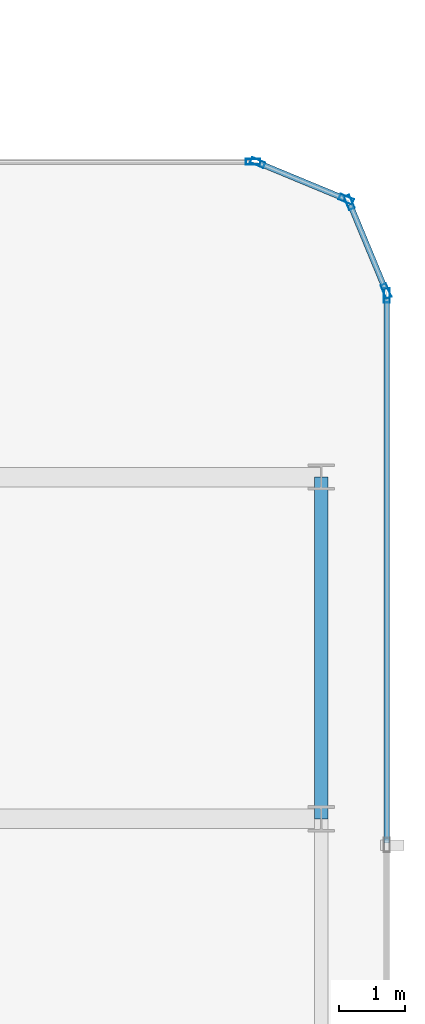
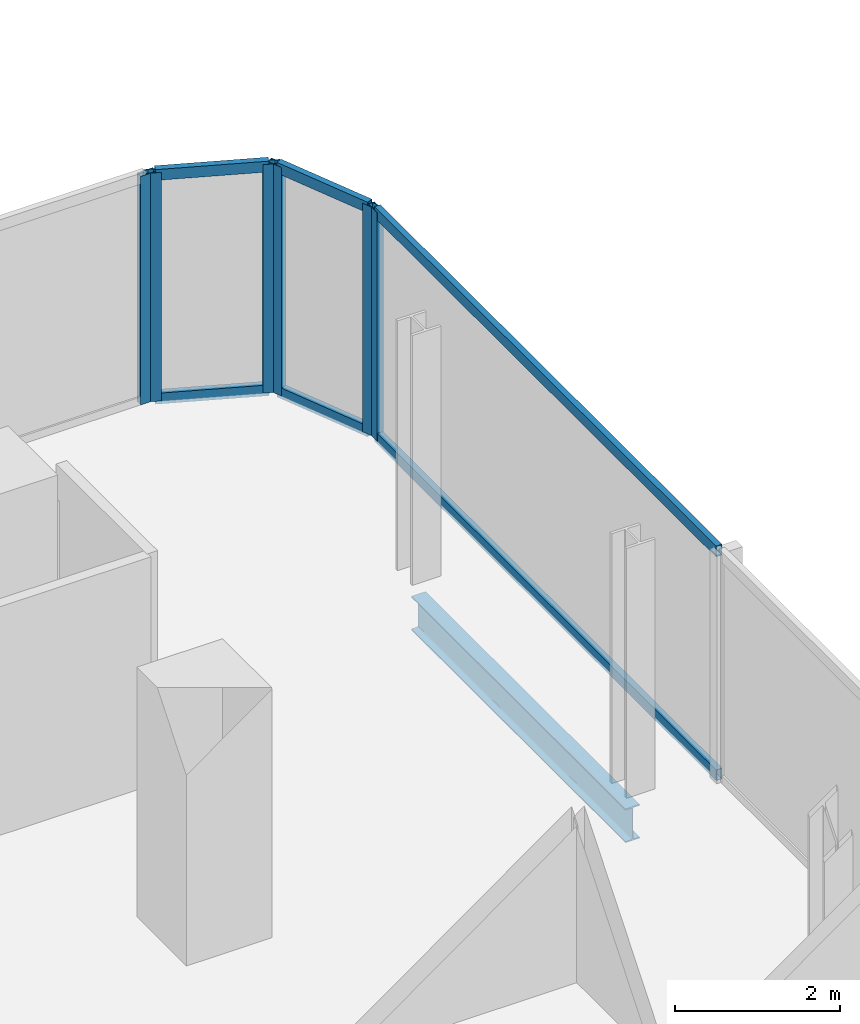
# One storey, part 19 of 34: 12 members, 1 beam, 4 elements without a shape of their own.
"""IFC4 building model written with IfcOpenShell, lengths in metres."""

from ifc_helpers import new_model, si_unit, direction, frame, origin, origin_2d, place, context, subcontext, project, spatial, hollow_rectangle, i_section, extrude, material, layer, layer_set, material_profile, profile_set, type_object, element, aggregate, save


model = new_model("IFC4")

# Units and contexts
model_context = context("Model", 3, precision=1e-05, world=origin(), true_north=direction((0.0, 1.0)))
body_context = subcontext(model_context, "Body", "Model", "MODEL_VIEW")
ifc_project = project(units=[si_unit("LENGTHUNIT", "METRE"), si_unit("AREAUNIT", "SQUARE_METRE"), si_unit("VOLUMEUNIT", "CUBIC_METRE"), si_unit("PLANEANGLEUNIT", "RADIAN"), si_unit("MASSUNIT", "GRAM", prefix="KILO")], contexts=[model_context])

# Site, building, storey
site_placement = place(None, origin())
site = spatial("IfcSite", under=ifc_project, at=site_placement, CompositionType="ELEMENT")
building_placement = place(site_placement, origin())
building = spatial("IfcBuilding", under=site, at=building_placement, Name="Keshet Zoharim Tower", CompositionType="ELEMENT")
storey_placement = place(building_placement, frame((0.0, 0.0, 70.10009765625)))
storey = spatial("IfcBuildingStorey", under=building, at=storey_placement, Name="L16", CompositionType="ELEMENT", Elevation=70.10009765625)

# Beam
ifc_material_1 = material(Name="Steel S355", Category="steel")
ifc_material_profile_1 = material_profile(ifc_material_1, i_section(OverallWidth=0.199951171875, OverallDepth=0.5, WebThickness=0.01025390625, FlangeThickness=0.01611328125, FilletRadius=0.02099609375, at=origin_2d()), Name="IPE500")
ifc_profile_set_1 = profile_set([ifc_material_profile_1], Name="Steel S355")
beam_type = type_object("IfcBeamType", Name="BM-PRI-IP500", PredefinedType="BEAM", material=ifc_profile_set_1)
beam_placement = place(storey_placement, frame((69.0, 22.699951171875, -0.565185546875), z_axis=(0.0, 1.0, 0.0), x_axis=(-1.0, 0.0, 0.0)))
element("IfcBeam", 1, at=beam_placement, inside=storey, type_object=beam_type, Name="L16 Primary Girder Y-025", PredefinedType="BEAM", context=body_context, shape_type="SweptSolid", body=[
    extrude(i_section(OverallWidth=0.199951171875, OverallDepth=0.5, WebThickness=0.01025390625, FlangeThickness=0.01611328125, FilletRadius=0.02099609375, at=origin_2d()), origin(), (0.0, 0.0, 1.0), 5.199951171875),
])

# Curtain wall, member
ifc_material_2 = material(Name="Aluminium 6063-T6", Category="aluminium")
ifc_layer = layer(ifc_material_2, 0.169921875)
ifc_layer_set = layer_set([ifc_layer], Name="Aluminium 6063-T6")
curtain_wall_type = type_object("IfcCurtainWallType", Name="CW-SYS-02", PredefinedType="NOTDEFINED", material=ifc_layer_set)
curtain_wall_1_placement = place(storey_placement, origin())
curtain_wall_1 = element("IfcCurtainWall", 2, at=curtain_wall_1_placement, inside=storey, type_object=curtain_wall_type, Name="L16 Unitised Curtain Wall 13", PredefinedType="NOTDEFINED")
ifc_material_profile_2 = material_profile(ifc_material_2, hollow_rectangle(XDim=0.090087890625, YDim=0.219970703125, WallThickness=0.0048828125, at=origin_2d()), Name="MUL-90x220")
ifc_profile_set_2 = profile_set([ifc_material_profile_2], Name="Aluminium 6063-T6")
member_type_1 = type_object("IfcMemberType", Name="CWM-M22", PredefinedType="MULLION", material=ifc_profile_set_2)
member_1_placement = place(storey_placement, frame((67.965087890625, 32.699951171875, 0.0), z_axis=(0.0, 0.0, 1.0), x_axis=(0.0, 1.0, 0.0)))
member_1 = element("IfcMember", 3, at=member_1_placement, type_object=member_type_1, Name="CW-02 mullion 2", PredefinedType="MULLION", context=body_context, shape_type="SweptSolid", body=[
    extrude(hollow_rectangle(XDim=0.090087890625, YDim=0.219970703125, WallThickness=0.0048828125, at=origin_2d()), origin(), (0.0, 0.0, 1.0), 3.385009765625),
])
aggregate(curtain_wall_1, [member_1])

# Curtain wall, members
curtain_wall_2_placement = place(storey_placement, origin())
curtain_wall_2 = element("IfcCurtainWall", 4, at=curtain_wall_2_placement, inside=storey, type_object=curtain_wall_type, Name="L16 Unitised Curtain Wall 14", PredefinedType="NOTDEFINED")
member_2_placement = place(storey_placement, frame((68.0322265625, 32.6865234375, 0.0), z_axis=(0.0, 0.0, 1.0), x_axis=(0.382851849847, 0.92380975372, 0.0)))
member_2 = element("IfcMember", 5, at=member_2_placement, type_object=member_type_1, Name="CW-02 mullion 1", PredefinedType="MULLION", context=body_context, shape_type="SweptSolid", body=[
    extrude(hollow_rectangle(XDim=0.090087890625, YDim=0.219970703125, WallThickness=0.0048828125, at=origin_2d()), origin(), (0.0, 0.0, 1.0), 3.385009765625),
])
member_3_placement = place(storey_placement, frame((69.381591796875, 32.12744140625, 0.0), z_axis=(0.0, 0.0, 1.0), x_axis=(0.382851849847, 0.92380975372, 0.0)))
member_3 = element("IfcMember", 6, at=member_3_placement, type_object=member_type_1, Name="CW-02 mullion 2", PredefinedType="MULLION", context=body_context, shape_type="SweptSolid", body=[
    extrude(hollow_rectangle(XDim=0.090087890625, YDim=0.219970703125, WallThickness=0.0048828125, at=origin_2d()), origin(), (0.0, 0.0, 1.0), 3.385009765625),
])

curtain_wall_3_placement = place(storey_placement, origin())
curtain_wall_3 = element("IfcCurtainWall", 7, at=curtain_wall_3_placement, inside=storey, type_object=curtain_wall_type, Name="L16 Unitised Curtain Wall 15", PredefinedType="NOTDEFINED")
member_4_placement = place(storey_placement, frame((69.427490234375, 32.081787109375, 0.0), z_axis=(0.0, 0.0, 1.0), x_axis=(0.92380975372, 0.382851849847, 0.0)))
member_4 = element("IfcMember", 8, at=member_4_placement, type_object=member_type_1, Name="CW-02 mullion 1", PredefinedType="MULLION", context=body_context, shape_type="SweptSolid", body=[
    extrude(hollow_rectangle(XDim=0.090087890625, YDim=0.219970703125, WallThickness=0.0048828125, at=origin_2d()), origin(), (0.0, 0.0, 1.0), 3.385009765625),
])
member_5_placement = place(storey_placement, frame((69.986572265625, 30.732421875, 0.0), z_axis=(0.0, 0.0, 1.0), x_axis=(0.92380975372, 0.382851849847, 0.0)))
member_5 = element("IfcMember", 9, at=member_5_placement, type_object=member_type_1, Name="CW-02 mullion 2", PredefinedType="MULLION", context=body_context, shape_type="SweptSolid", body=[
    extrude(hollow_rectangle(XDim=0.090087890625, YDim=0.219970703125, WallThickness=0.0048828125, at=origin_2d()), origin(), (0.0, 0.0, 1.0), 3.385009765625),
])

# Curtain wall, member
curtain_wall_4_placement = place(storey_placement, origin())
curtain_wall_4 = element("IfcCurtainWall", 10, at=curtain_wall_4_placement, inside=storey, type_object=curtain_wall_type, Name="L16 Unitised Curtain Wall 16", PredefinedType="NOTDEFINED")
member_6_placement = place(storey_placement, frame((70.0, 30.6650390625, 0.0), z_axis=(0.0, 0.0, 1.0), x_axis=(1.0, 0.0, 0.0)))
member_6 = element("IfcMember", 11, at=member_6_placement, type_object=member_type_1, Name="CW-02 mullion 1", PredefinedType="MULLION", context=body_context, shape_type="SweptSolid", body=[
    extrude(hollow_rectangle(XDim=0.090087890625, YDim=0.219970703125, WallThickness=0.0048828125, at=origin_2d()), origin(), (0.0, 0.0, 1.0), 3.385009765625),
])

# Member
ifc_material_profile_3 = material_profile(ifc_material_2, hollow_rectangle(XDim=0.0849609375, YDim=0.159912109375, WallThickness=0.00439453125, at=origin_2d()), Name="TRN-85x160")
ifc_profile_set_3 = profile_set([ifc_material_profile_3], Name="Aluminium 6063-T6")
member_type_2 = type_object("IfcMemberType", Name="CWT-T16", PredefinedType="USERDEFINED", material=ifc_profile_set_3)
member_7_placement = place(storey_placement, frame((68.064697265625, 32.673095703125, 0.034912109375), z_axis=(0.923854189844, -0.382744609247, 0.0), x_axis=(0.382744609247, 0.923854189844, 0.0)))
member_7 = element("IfcMember", 12, at=member_7_placement, type_object=member_type_2, Name="CW-02 transom 1.1", ObjectType="TRANSOM", PredefinedType="USERDEFINED", context=body_context, shape_type="SweptSolid", body=[
    extrude(hollow_rectangle(XDim=0.0849609375, YDim=0.159912109375, WallThickness=0.00439453125, at=origin_2d()), origin(), (0.0, 0.0, 1.0), 1.390625),
])

member_8_placement = place(storey_placement, frame((68.064697265625, 32.673095703125, 3.349853515625), z_axis=(0.923854189844, -0.382744609247, 0.0), x_axis=(0.382744609247, 0.923854189844, 0.0)))
member_8 = element("IfcMember", 13, at=member_8_placement, type_object=member_type_2, Name="CW-02 transom 1.2", ObjectType="TRANSOM", PredefinedType="USERDEFINED", context=body_context, shape_type="SweptSolid", body=[
    extrude(hollow_rectangle(XDim=0.0849609375, YDim=0.159912109375, WallThickness=0.00439453125, at=origin_2d()), origin(), (0.0, 0.0, 1.0), 1.390625),
])

aggregate(curtain_wall_2, [member_2, member_3, member_7, member_8])

member_9_placement = place(storey_placement, frame((69.44091796875, 32.04931640625, 0.034912109375), z_axis=(0.382744609247, -0.923854189844, 0.0), x_axis=(0.923854189844, 0.382744609247, 0.0)))
member_9 = element("IfcMember", 14, at=member_9_placement, type_object=member_type_2, Name="CW-02 transom 1.1", ObjectType="TRANSOM", PredefinedType="USERDEFINED", context=body_context, shape_type="SweptSolid", body=[
    extrude(hollow_rectangle(XDim=0.0849609375, YDim=0.159912109375, WallThickness=0.00439453125, at=origin_2d()), origin(), (0.0, 0.0, 1.0), 1.390625),
])

member_10_placement = place(storey_placement, frame((69.44091796875, 32.04931640625, 3.349853515625), z_axis=(0.382744609247, -0.923854189844, 0.0), x_axis=(0.923854189844, 0.382744609247, 0.0)))
member_10 = element("IfcMember", 15, at=member_10_placement, type_object=member_type_2, Name="CW-02 transom 1.2", ObjectType="TRANSOM", PredefinedType="USERDEFINED", context=body_context, shape_type="SweptSolid", body=[
    extrude(hollow_rectangle(XDim=0.0849609375, YDim=0.159912109375, WallThickness=0.00439453125, at=origin_2d()), origin(), (0.0, 0.0, 1.0), 1.390625),
])

aggregate(curtain_wall_3, [member_4, member_5, member_9, member_10])

member_11_placement = place(storey_placement, frame((70.0, 30.6298828125, 0.034912109375), z_axis=(0.0, -1.0, 0.0), x_axis=(1.0, 0.0, 0.0)))
member_11 = element("IfcMember", 16, at=member_11_placement, type_object=member_type_2, Name="CW-02 transom 1.1", ObjectType="TRANSOM", PredefinedType="USERDEFINED", context=body_context, shape_type="SweptSolid", body=[
    extrude(hollow_rectangle(XDim=0.0849609375, YDim=0.159912109375, WallThickness=0.00439453125, at=origin_2d()), origin(), (0.0, 0.0, 1.0), 8.29638671875),
])

member_12_placement = place(storey_placement, frame((70.0, 30.6298828125, 3.349853515625), z_axis=(0.0, -1.0, 0.0), x_axis=(1.0, 0.0, 0.0)))
member_12 = element("IfcMember", 17, at=member_12_placement, type_object=member_type_2, Name="CW-02 transom 1.2", ObjectType="TRANSOM", PredefinedType="USERDEFINED", context=body_context, shape_type="SweptSolid", body=[
    extrude(hollow_rectangle(XDim=0.0849609375, YDim=0.159912109375, WallThickness=0.00439453125, at=origin_2d()), origin(), (0.0, 0.0, 1.0), 8.29638671875),
])

aggregate(curtain_wall_4, [member_6, member_11, member_12])

save(model, "model.ifc")
